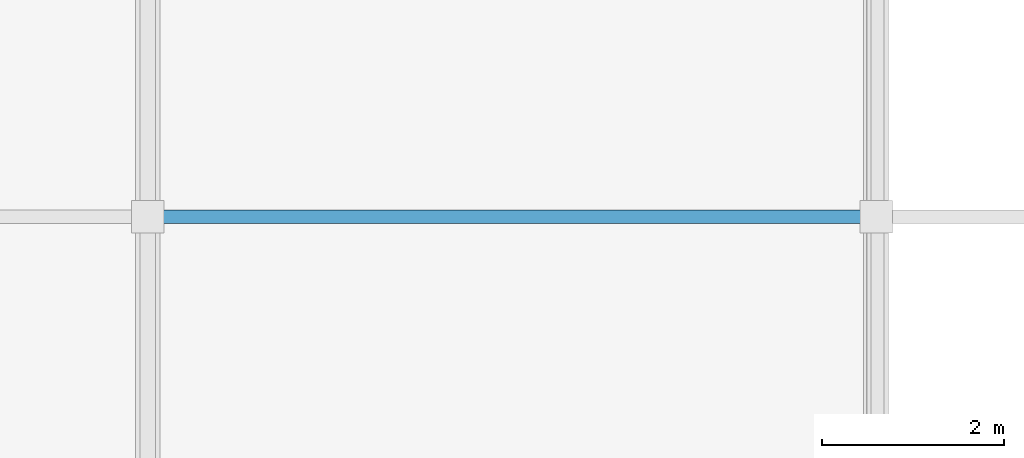
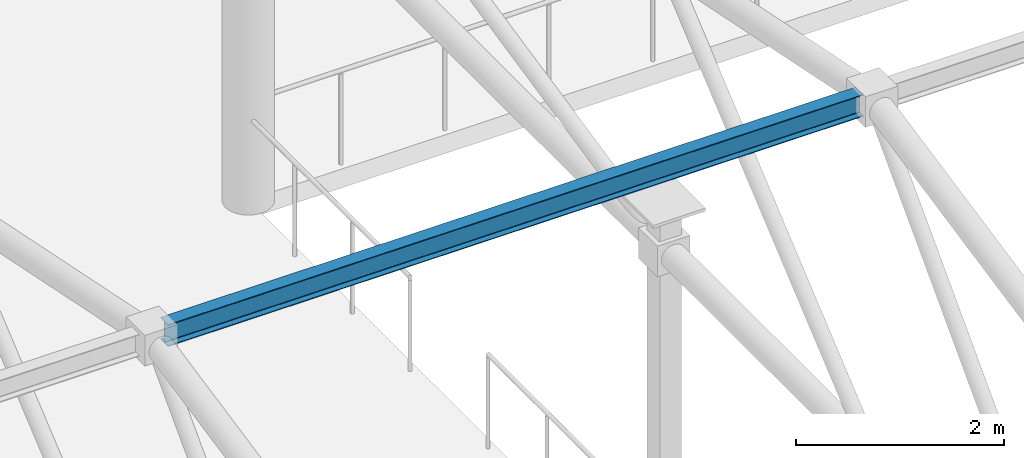
# One storey, part 25 of 117: 1 member.
"""IFC4 building model written with IfcOpenShell, lengths in metres."""

from ifc_helpers import new_model, si_unit, direction, frame, origin, origin_2d, place, context, subcontext, project, spatial, i_section, extrude, material, material_profile, profile_set, type_object, element, save


model = new_model("IFC4")

# Units and contexts
model_context = context("Model", 3, precision=1e-05, world=origin(), true_north=direction((0.0, 1.0)))
body_context = subcontext(model_context, "Body", "Model", "MODEL_VIEW")
ifc_project = project(units=[si_unit("LENGTHUNIT", "METRE"), si_unit("AREAUNIT", "SQUARE_METRE"), si_unit("VOLUMEUNIT", "CUBIC_METRE"), si_unit("PLANEANGLEUNIT", "RADIAN"), si_unit("MASSUNIT", "GRAM", prefix="KILO")], contexts=[model_context])

# Site, building, storey
site_placement = place(None, origin())
site = spatial("IfcSite", under=ifc_project, at=site_placement, CompositionType="ELEMENT")
building_placement = place(site_placement, origin())
building = spatial("IfcBuilding", under=site, at=building_placement, Name="Solmirada Galleria", CompositionType="ELEMENT")
storey_placement = place(building_placement, frame((0.0, 0.0, 5.60009765625)))
storey = spatial("IfcBuildingStorey", under=building, at=storey_placement, Name="L01", CompositionType="ELEMENT", Elevation=5.60009765625)

# Member
ifc_material = material(Name="Steel S355 / ASTM A992 Grade 50", Category="steel")
ifc_material_profile = material_profile(ifc_material, i_section(OverallWidth=0.14599609375, OverallDepth=0.258056640625, WebThickness=0.006103515625, FlangeThickness=0.009033203125, FilletRadius=0.009033203125, at=origin_2d()), Name="W10X22")
ifc_profile_set = profile_set([ifc_material_profile], Name="Steel S355 / ASTM A992 Grade 50")
member_type = type_object("IfcMemberType", Name="MEM-ROOF-PURL", PredefinedType="PURLIN", material=ifc_profile_set)
member_placement = place(storey_placement, frame((48.139892578125, 20.0, 8.47998046875), z_axis=(1.0, 0.0, 0.0), x_axis=(0.0, 1.0, 0.0)))
element("IfcMember", 1, at=member_placement, inside=storey, type_object=member_type, Name="Food Hall roof purlin Y=20", PredefinedType="PURLIN", context=body_context, shape_type="SweptSolid", body=[
    extrude(i_section(OverallWidth=0.14599609375, OverallDepth=0.258056640625, WebThickness=0.006103515625, FlangeThickness=0.009033203125, FilletRadius=0.009033203125, at=origin_2d()), origin(), (0.0, 0.0, 1.0), 7.72021484375),
])

save(model, "model.ifc")
